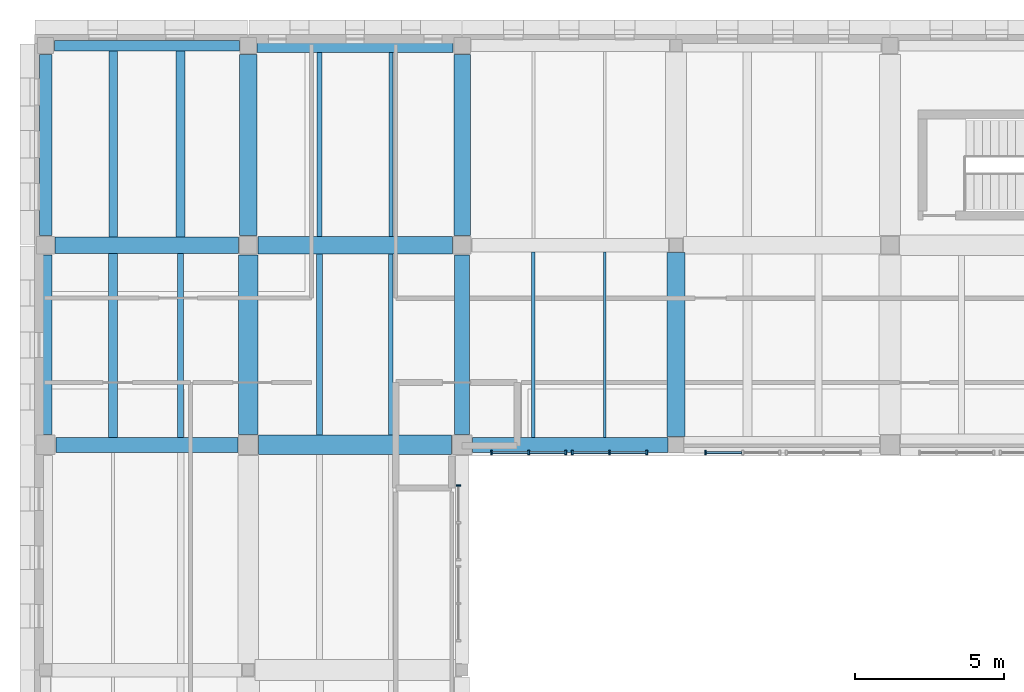
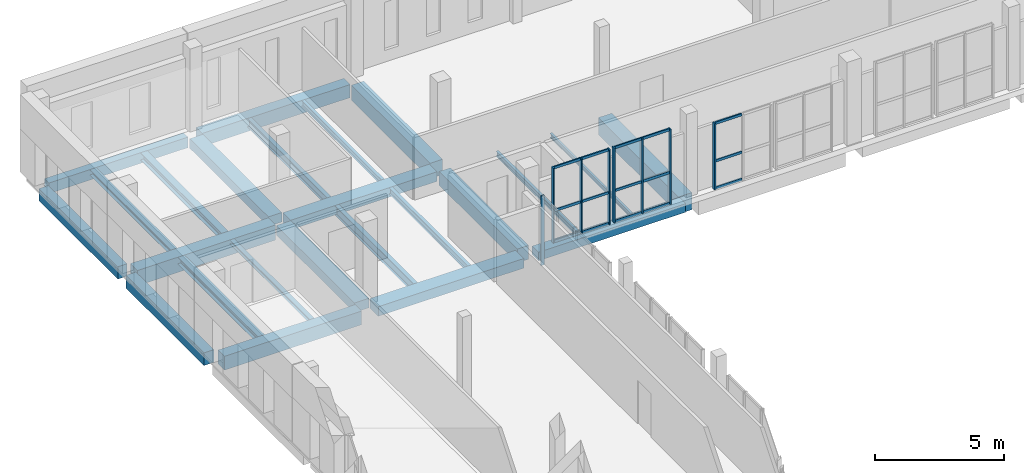
# One storey, part 25 of 76: 24 beams, 23 members, 4 elements without a shape of their own.
"""IFC4 building model written with IfcOpenShell, lengths in metres."""

import ifcopenshell
import ifcopenshell.guid

model = None  # the IFC model being written
_history = None  # IfcOwnerHistory: only IFC2X3 demands one
_inside = {}  # id of a spatial element -> (the spatial element, [elements in it])
_under = {}  # id of a project, library or spatial element -> (it, [spatial elements below it])
_declared = {}  # id of a project -> (the project, [libraries it declares])
_typed = {}  # id of a type object -> (the type object, [elements of that type])
_made_of = {}  # id of a material, layer set ... -> (it, [elements and type objects made of it])


def new_model(schema):
    """Start an empty IFC model of exactly this schema.

    Asked for "IFC4X3", IfcOpenShell would pick the latest addendum, in which some entities
    have other attributes; the version numbers below select the first issue.
    IFC2X3 requires an IfcOwnerHistory on every rooted entity: one is made here for all.
    """
    global model, _history
    if schema == "IFC4X3":
        model = ifcopenshell.file(schema_version=(4, 3, 0, 0))
    else:
        model = ifcopenshell.file(schema=schema)
    _inside.clear()
    _under.clear()
    _declared.clear()
    _typed.clear()
    _made_of.clear()
    _history = None
    if model.schema == "IFC2X3":
        org = make("IfcOrganization", Name="unknown")
        user = make(
            "IfcPersonAndOrganization",
            ThePerson=make("IfcPerson", FamilyName="unknown"),
            TheOrganization=org,
        )
        app = make(
            "IfcApplication",
            ApplicationDeveloper=org,
            Version="unknown",
            ApplicationFullName="unknown",
            ApplicationIdentifier="unknown",
        )
        _history = make(
            "IfcOwnerHistory",
            OwningUser=user,
            OwningApplication=app,
            ChangeAction="ADDED",
            CreationDate=0,
        )
    return model


def make(cls, **values):
    """One entity of the class cls with the attributes given. An attribute that is None is left unset."""
    return model.create_entity(
        cls, **{name: value for name, value in values.items() if value is not None}
    )


def rooted(cls, **values):
    """An entity with a GlobalId (a new one), such as an element, a storey or a relation."""
    return make(cls, GlobalId=ifcopenshell.guid.new(), OwnerHistory=_history, **values)


def si_unit(unit_type, name, prefix=None):
    """IfcSIUnit, for example si_unit("LENGTHUNIT", "METRE", prefix="MILLI")."""
    return make("IfcSIUnit", UnitType=unit_type, Prefix=prefix, Name=name)


def assignment(units):
    """IfcUnitAssignment: the units of a project."""
    return None if units is None else make("IfcUnitAssignment", Units=units)


def point(xyz):
    """IfcCartesianPoint."""
    return None if xyz is None else make("IfcCartesianPoint", Coordinates=xyz)


def direction(xyz):
    """IfcDirection."""
    return None if xyz is None else make("IfcDirection", DirectionRatios=xyz)


def frame(location, z_axis=None, x_axis=None):
    """IfcAxis2Placement3D, a coordinate frame: its origin and axes. An axis left out is left unset."""
    return make(
        "IfcAxis2Placement3D",
        Location=point(location),
        Axis=direction(z_axis),
        RefDirection=direction(x_axis),
    )


def frame_2d(location, x_axis=None):
    """IfcAxis2Placement2D, a coordinate frame in the plane: its origin and x axis."""
    return make(
        "IfcAxis2Placement2D", Location=point(location), RefDirection=direction(x_axis)
    )


def origin():
    """The frame at (0, 0, 0) with its axes left unset."""
    return frame((0.0, 0.0, 0.0))


def origin_2d():
    """The frame at (0, 0) in the plane with its x axis left unset."""
    return frame_2d((0.0, 0.0))


def place(relative_to, where):
    """IfcLocalPlacement: puts the frame where relative to a parent placement (None: the world)."""
    return make(
        "IfcLocalPlacement", PlacementRelTo=relative_to, RelativePlacement=where
    )


def context(
    kind, dimensions, precision=None, world=None, true_north=None, identifier=None
):
    """IfcGeometricRepresentationContext, for example the 3D "Model" context."""
    return make(
        "IfcGeometricRepresentationContext",
        ContextIdentifier=identifier,
        ContextType=kind,
        CoordinateSpaceDimension=dimensions,
        Precision=precision,
        WorldCoordinateSystem=world,
        TrueNorth=true_north,
    )


def subcontext(parent, identifier, kind, view, scale=None):
    """IfcGeometricRepresentationSubContext, for example "Body" below "Model"."""
    return make(
        "IfcGeometricRepresentationSubContext",
        ContextIdentifier=identifier,
        ContextType=kind,
        ParentContext=parent,
        TargetScale=scale,
        TargetView=view,
    )


def project(units=None, contexts=None):
    """IfcProject with its units and contexts."""
    return rooted(
        "IfcProject",
        Name="project",
        RepresentationContexts=contexts,
        UnitsInContext=assignment(units),
    )


def spatial(cls, under=None, at=None, **own):
    """A site, building, storey or space (cls), placed at a placement, below another one or the project."""
    s = rooted(cls, ObjectPlacement=at, **own)
    if under is not None:
        _under.setdefault(under.id(), (under, []))[1].append(s)
    return s


def profile(cls, at=None, kind="AREA", **sizes):
    """A parametric profile (cls). Its sizes go by their IFC names, for example OverallWidth=200.0."""
    return make(cls, ProfileType=kind, Position=at, **sizes)


def rectangle(**sizes):
    """IfcRectangleProfileDef."""
    return profile("IfcRectangleProfileDef", **sizes)


def i_section(**sizes):
    """IfcIShapeProfileDef."""
    return profile("IfcIShapeProfileDef", **sizes)


def extrude(swept, where, along, depth):
    """IfcExtrudedAreaSolid: the profile swept, set in the frame where, extruded along a direction by depth."""
    return make(
        "IfcExtrudedAreaSolid",
        SweptArea=swept,
        Position=where,
        ExtrudedDirection=direction(along),
        Depth=depth,
    )


def shape(context_of_items, identifier, shape_type, items):
    """IfcShapeRepresentation: the items that make up one representation, for example the "Body"."""
    return make(
        "IfcShapeRepresentation",
        ContextOfItems=context_of_items,
        RepresentationIdentifier=identifier,
        RepresentationType=shape_type,
        Items=items,
    )


def material(Name=None, Category=None):
    """IfcMaterial."""
    return make("IfcMaterial", Name=Name, Category=Category)


def layer(
    of_material, thickness, ventilated=None, Name=None, Category=None, Priority=None
):
    """IfcMaterialLayer: one layer of a wall or slab, of a material (None: an air gap)."""
    return make(
        "IfcMaterialLayer",
        Material=of_material,
        LayerThickness=thickness,
        IsVentilated=ventilated,
        Name=Name,
        Category=Category,
        Priority=Priority,
    )


def layer_set(layers, Name=None):
    """IfcMaterialLayerSet."""
    return make("IfcMaterialLayerSet", MaterialLayers=layers, LayerSetName=Name)


def material_profile(
    of_material, cross_section, Name=None, Category=None, Priority=None
):
    """IfcMaterialProfile: a cross section and its material."""
    return make(
        "IfcMaterialProfile",
        Name=Name,
        Material=of_material,
        Profile=cross_section,
        Priority=Priority,
        Category=Category,
    )


def profile_set(profiles, Name=None, composite=None):
    """IfcMaterialProfileSet."""
    return make(
        "IfcMaterialProfileSet",
        Name=Name,
        MaterialProfiles=profiles,
        CompositeProfile=composite,
    )


def made_of(thing, what):
    """Note that an element or type object is made of a material, layer set ...; save() writes the relation."""
    if what is not None:
        _made_of.setdefault(what.id(), (what, []))[1].append(thing)
    return thing


def type_object(cls, material=None, **own):
    """A type object (cls), such as IfcWallType, which elements share."""
    return made_of(rooted(cls, **own), material)


def element(
    cls,
    number,
    at=None,
    inside=None,
    cuts=None,
    type_object=None,
    material=None,
    context=None,
    identifier="Body",
    shape_type=None,
    held_by="IfcProductDefinitionShape",
    body=None,
    shapes=None,
    **own,
):
    """One element of the class cls, such as IfcWall. Its Tag is "e" and its number.

    at: its placement. inside: the storey or other place that contains it. cuts: it is an
    opening in that element (IfcRelVoidsElement). A single representation is given by context,
    identifier, shape_type and body (its items); several are given by shapes. held_by: the class
    of the entity that holds the representations. save() writes the other relations.
    """
    e = rooted(cls, Tag="e%d" % number, ObjectPlacement=at, **own)
    if body is not None:
        shapes = [shape(context, identifier, shape_type, body)]
    if shapes is not None:
        e.Representation = make(held_by, Representations=shapes)
    if inside is not None:
        _inside.setdefault(inside.id(), (inside, []))[1].append(e)
    if cuts is not None:
        rooted(
            "IfcRelVoidsElement", RelatingBuildingElement=cuts, RelatedOpeningElement=e
        )
    if type_object is not None:
        _typed.setdefault(type_object.id(), (type_object, []))[1].append(e)
    return made_of(e, material)


def aggregate(whole, parts):
    """IfcRelAggregates: a whole, such as a stair, and the parts it consists of."""
    return rooted("IfcRelAggregates", RelatingObject=whole, RelatedObjects=parts)


def save(model, path):
    """Write the relations noted so far, then the file.

    IfcRelAggregates (storeys below a building ...), IfcRelContainedInSpatialStructure (elements
    in a storey), IfcRelDefinesByType, IfcRelAssociatesMaterial and IfcRelDeclares: one each for
    every whole, place, type object, material and project.
    """
    for whole, parts in _under.values():
        aggregate(whole, parts)
    for where, things in _inside.values():
        rooted(
            "IfcRelContainedInSpatialStructure",
            RelatedElements=things,
            RelatingStructure=where,
        )
    for kind, things in _typed.values():
        rooted("IfcRelDefinesByType", RelatedObjects=things, RelatingType=kind)
    for what, things in _made_of.values():
        rooted("IfcRelAssociatesMaterial", RelatedObjects=things, RelatingMaterial=what)
    for by, libraries in _declared.values():
        rooted("IfcRelDeclares", RelatingContext=by, RelatedDefinitions=libraries)
    model.write(path)


model = new_model("IFC4")

# Units and contexts
model_context = context("Model", 3, precision=1e-05, world=origin(), true_north=direction((0.0, 1.0)))
body_context = subcontext(model_context, "Body", "Model", "MODEL_VIEW")
ifc_project = project(units=[si_unit("LENGTHUNIT", "METRE"), si_unit("AREAUNIT", "SQUARE_METRE"), si_unit("VOLUMEUNIT", "CUBIC_METRE"), si_unit("PLANEANGLEUNIT", "RADIAN"), si_unit("MASSUNIT", "GRAM", prefix="KILO")], contexts=[model_context])

# Site, building, storey
site_placement = place(None, origin())
site = spatial("IfcSite", under=ifc_project, at=site_placement, CompositionType="ELEMENT")
building_placement = place(site_placement, origin())
building = spatial("IfcBuilding", under=site, at=building_placement, Name="Vardoun Plaza Health Centre", CompositionType="ELEMENT")
storey_placement = place(building_placement, frame((0.0, 0.0, 4.5)))
storey = spatial("IfcBuildingStorey", under=building, at=storey_placement, Name="L01", CompositionType="ELEMENT", Elevation=4.5)

# Beams
ifc_material_1 = material(Name="Concrete C35/45", Category="concrete")
ifc_material_profile_1 = material_profile(ifc_material_1, rectangle(XDim=0.35009765625, YDim=0.5, at=origin_2d()), Name="RC-BM 350x500")
ifc_profile_set_1 = profile_set([ifc_material_profile_1], Name="Concrete C35/45")
beam_type_1 = type_object("IfcBeamType", Name="B-08", PredefinedType="SPANDREL", material=ifc_profile_set_1)
beam_1_placement = place(storey_placement, frame((5.179931640625, 114.919921875, -0.514892578125), z_axis=(1.0, 0.0, 0.0), x_axis=(0.0, 1.0, 0.0)))
element("IfcBeam", 1, at=beam_1_placement, inside=storey, type_object=beam_type_1, Name="V3 L01 Beam B-V3-L01-X06", PredefinedType="SPANDREL", context=body_context, shape_type="SweptSolid", body=[
    extrude(rectangle(XDim=0.35009765625, YDim=0.5, at=origin_2d()), origin(), (0.0, 0.0, 1.0), 6.219970703125),
])
ifc_material_2 = material(Name="Concrete C35/45", Category="concrete")
ifc_material_profile_2 = material_profile(ifc_material_2, rectangle(XDim=0.419921875, YDim=0.580078125, at=origin_2d()), Name="RC-BM 420x580")
ifc_profile_set_2 = profile_set([ifc_material_profile_2], Name="Concrete C35/45")
beam_type_2 = type_object("IfcBeamType", Name="B-10", PredefinedType="SPANDREL", material=ifc_profile_set_2)
beam_2_placement = place(storey_placement, frame((4.8798828125, 108.525146484375, -0.554931640625), z_axis=(0.0, 1.0, 0.0), x_axis=(-1.0, 0.0, 0.0)))
element("IfcBeam", 2, at=beam_2_placement, inside=storey, type_object=beam_type_2, Name="V3 L01 Beam B-V3-L01-Y29", PredefinedType="SPANDREL", context=body_context, shape_type="SweptSolid", body=[
    extrude(rectangle(XDim=0.419921875, YDim=0.580078125, at=origin_2d()), origin(), (0.0, 0.0, 1.0), 6.094970703125),
])
ifc_material_3 = material(Name="Concrete C35/45", Category="concrete")
ifc_material_profile_3 = material_profile(ifc_material_3, rectangle(XDim=0.449951171875, YDim=0.60009765625, at=origin_2d()), Name="RC-BM 450x600")
ifc_profile_set_3 = profile_set([ifc_material_profile_3], Name="Concrete C35/45")
beam_type_3 = type_object("IfcBeamType", Name="B-11", PredefinedType="SPANDREL", material=ifc_profile_set_3)
beam_3_placement = place(storey_placement, frame((4.8798828125, 101.830078125, -0.56494140625), z_axis=(0.0, 1.0, 0.0), x_axis=(-1.0, 0.0, 0.0)))
element("IfcBeam", 3, at=beam_3_placement, inside=storey, type_object=beam_type_3, Name="V3 L01 Beam B-V3-L01-Y28", PredefinedType="SPANDREL", context=body_context, shape_type="SweptSolid", body=[
    extrude(rectangle(XDim=0.449951171875, YDim=0.60009765625, at=origin_2d()), origin(), (0.0, 0.0, 1.0), 6.044921875),
])
ifc_material_4 = material(Name="Concrete C35/45", Category="concrete")
ifc_material_profile_4 = material_profile(ifc_material_4, rectangle(XDim=0.47998046875, YDim=0.6201171875, at=origin_2d()), Name="RC-BM 480x620")
ifc_profile_set_4 = profile_set([ifc_material_profile_4], Name="Concrete C35/45")
beam_type_4 = type_object("IfcBeamType", Name="B-12", PredefinedType="SPANDREL", material=ifc_profile_set_4)
beam_4_placement = place(storey_placement, frame((12.0, 114.919921875, -0.574951171875), z_axis=(1.0, 0.0, 0.0), x_axis=(0.0, 1.0, 0.0)))
element("IfcBeam", 4, at=beam_4_placement, inside=storey, type_object=beam_type_4, Name="V3 L01 Beam B-V3-L01-X12", PredefinedType="SPANDREL", context=body_context, shape_type="SweptSolid", body=[
    extrude(rectangle(XDim=0.47998046875, YDim=0.6201171875, at=origin_2d()), origin(), (0.0, 0.0, 1.0), 6.60009765625),
])
ifc_material_5 = material(Name="Concrete C35/45", Category="concrete")
ifc_material_profile_5 = material_profile(ifc_material_5, rectangle(XDim=0.5, YDim=0.39990234375, at=origin_2d()), Name="RC-BM 500x400")
ifc_profile_set_5 = profile_set([ifc_material_profile_5], Name="Concrete C35/45")
beam_type_5 = type_object("IfcBeamType", Name="B-02", PredefinedType="BEAM", material=ifc_profile_set_5)
beam_5_placement = place(storey_placement, frame((19.25, 101.47998046875, -0.465087890625), z_axis=(1.0, 0.0, 0.0), x_axis=(0.0, 1.0, 0.0)))
element("IfcBeam", 5, at=beam_5_placement, inside=storey, type_object=beam_type_5, Name="V3 L01 Beam B-V3-L01-X13", PredefinedType="BEAM", context=body_context, shape_type="SweptSolid", body=[
    extrude(rectangle(XDim=0.5, YDim=0.39990234375, at=origin_2d()), origin(), (0.0, 0.0, 1.0), 6.574951171875),
])
ifc_material_6 = material(Name="Concrete C40/50", Category="concrete")
ifc_material_profile_6 = material_profile(ifc_material_6, rectangle(XDim=0.5, YDim=0.64990234375, at=origin_2d()), Name="RC-BM 500x650")
ifc_profile_set_6 = profile_set([ifc_material_profile_6], Name="Concrete C40/50")
beam_type_6 = type_object("IfcBeamType", Name="B-13", PredefinedType="BEAM", material=ifc_profile_set_6)
beam_6_placement = place(storey_placement, frame((5.22998046875, 101.47998046875, -0.590087890625), z_axis=(1.0, 0.0, 0.0), x_axis=(0.0, 1.0, 0.0)))
element("IfcBeam", 6, at=beam_6_placement, inside=storey, type_object=beam_type_6, Name="V3 L01 Beam B-V3-L01-X04", PredefinedType="BEAM", context=body_context, shape_type="SweptSolid", body=[
    extrude(rectangle(XDim=0.5, YDim=0.64990234375, at=origin_2d()), origin(), (0.0, 0.0, 1.0), 6.1201171875),
])
beam_7_placement = place(storey_placement, frame((18.89990234375, 101.830078125, -0.590087890625), z_axis=(0.0, 1.0, 0.0), x_axis=(-1.0, 0.0, 0.0)))
element("IfcBeam", 7, at=beam_7_placement, inside=storey, type_object=beam_type_6, Name="V3 L01 Beam B-V3-L01-Y37", PredefinedType="BEAM", context=body_context, shape_type="SweptSolid", body=[
    extrude(rectangle(XDim=0.5, YDim=0.64990234375, at=origin_2d()), origin(), (0.0, 0.0, 1.0), 6.044921875),
])
ifc_material_7 = material(Name="Concrete C40/50", Category="concrete")
ifc_material_profile_7 = material_profile(ifc_material_7, rectangle(XDim=0.550048828125, YDim=0.719970703125, at=origin_2d()), Name="RC-BM 550x720")
ifc_profile_set_7 = profile_set([ifc_material_profile_7], Name="Concrete C40/50")
beam_type_7 = type_object("IfcBeamType", Name="B-14", PredefinedType="BEAM", material=ifc_profile_set_7)
beam_8_placement = place(storey_placement, frame((5.205078125, 108.199951171875, -0.625), z_axis=(1.0, 0.0, 0.0), x_axis=(0.0, 1.0, 0.0)))
element("IfcBeam", 8, at=beam_8_placement, inside=storey, type_object=beam_type_7, Name="V3 L01 Beam B-V3-L01-X05", PredefinedType="BEAM", context=body_context, shape_type="SweptSolid", body=[
    extrude(rectangle(XDim=0.550048828125, YDim=0.719970703125, at=origin_2d()), origin(), (0.0, 0.0, 1.0), 6.169921875),
])
beam_9_placement = place(storey_placement, frame((18.89990234375, 108.525146484375, -0.625), z_axis=(0.0, 1.0, 0.0), x_axis=(-1.0, 0.0, 0.0)))
element("IfcBeam", 9, at=beam_9_placement, inside=storey, type_object=beam_type_7, Name="V3 L01 Beam B-V3-L01-Y38", PredefinedType="BEAM", context=body_context, shape_type="SweptSolid", body=[
    extrude(rectangle(XDim=0.550048828125, YDim=0.719970703125, at=origin_2d()), origin(), (0.0, 0.0, 1.0), 6.094970703125),
])
ifc_material_8 = material(Name="Concrete C35/45", Category="concrete")
ifc_material_profile_8 = material_profile(ifc_material_8, rectangle(XDim=0.60009765625, YDim=0.449951171875, at=origin_2d()), Name="RC-BM 600x450")
ifc_profile_set_8 = profile_set([ifc_material_profile_8], Name="Concrete C35/45")
beam_type_8 = type_object("IfcBeamType", Name="B-04", PredefinedType="BEAM", material=ifc_profile_set_8)
beam_10_placement = place(storey_placement, frame((12.02490234375, 108.199951171875, -0.489990234375), z_axis=(1.0, 0.0, 0.0), x_axis=(0.0, 1.0, 0.0)))
element("IfcBeam", 10, at=beam_10_placement, inside=storey, type_object=beam_type_8, Name="V3 L01 Beam B-V3-L01-X11", PredefinedType="BEAM", context=body_context, shape_type="SweptSolid", body=[
    extrude(rectangle(XDim=0.60009765625, YDim=0.449951171875, at=origin_2d()), origin(), (0.0, 0.0, 1.0), 6.550048828125),
])
beam_11_placement = place(storey_placement, frame((11.699951171875, 108.525146484375, -0.489990234375), z_axis=(0.0, 1.0, 0.0), x_axis=(-1.0, 0.0, 0.0)))
element("IfcBeam", 11, at=beam_11_placement, inside=storey, type_object=beam_type_8, Name="V3 L01 Beam B-V3-L01-Y33", PredefinedType="BEAM", context=body_context, shape_type="SweptSolid", body=[
    extrude(rectangle(XDim=0.60009765625, YDim=0.449951171875, at=origin_2d()), origin(), (0.0, 0.0, 1.0), 6.094970703125),
])
ifc_material_9 = material(Name="Concrete C40/50", Category="concrete")
ifc_material_profile_9 = material_profile(ifc_material_9, rectangle(XDim=0.60009765625, YDim=0.800048828125, at=origin_2d()), Name="RC-BM 600x800")
ifc_profile_set_9 = profile_set([ifc_material_profile_9], Name="Concrete C40/50")
beam_type_9 = type_object("IfcBeamType", Name="B-15", PredefinedType="JOIST", material=ifc_profile_set_9)
beam_12_placement = place(storey_placement, frame((26.10009765625, 101.7548828125, -0.6650390625), z_axis=(0.0, 1.0, 0.0), x_axis=(-1.0, 0.0, 0.0)))
element("IfcBeam", 12, at=beam_12_placement, inside=storey, type_object=beam_type_9, Name="V3 L01 Beam B-V3-L01-Y39", PredefinedType="JOIST", context=body_context, shape_type="SweptSolid", body=[
    extrude(rectangle(XDim=0.60009765625, YDim=0.800048828125, at=origin_2d()), origin(), (0.0, 0.0, 1.0), 6.195068359375),
])
ifc_material_10 = material(Name="Concrete C35/45", Category="concrete")
ifc_material_profile_10 = material_profile(ifc_material_10, rectangle(XDim=0.64990234375, YDim=0.449951171875, at=origin_2d()), Name="RC-BM 650x450")
ifc_profile_set_10 = profile_set([ifc_material_profile_10], Name="Concrete C35/45")
beam_type_10 = type_object("IfcBeamType", Name="B-05", PredefinedType="BEAM", material=ifc_profile_set_10)
beam_13_placement = place(storey_placement, frame((12.050048828125, 101.47998046875, -0.489990234375), z_axis=(1.0, 0.0, 0.0), x_axis=(0.0, 1.0, 0.0)))
element("IfcBeam", 13, at=beam_13_placement, inside=storey, type_object=beam_type_10, Name="V3 L01 Beam B-V3-L01-X10", PredefinedType="BEAM", context=body_context, shape_type="SweptSolid", body=[
    extrude(rectangle(XDim=0.64990234375, YDim=0.449951171875, at=origin_2d()), origin(), (0.0, 0.0, 1.0), 6.5),
])
beam_14_placement = place(storey_placement, frame((11.699951171875, 101.830078125, -0.489990234375), z_axis=(0.0, 1.0, 0.0), x_axis=(-1.0, 0.0, 0.0)))
element("IfcBeam", 14, at=beam_14_placement, inside=storey, type_object=beam_type_10, Name="V3 L01 Beam B-V3-L01-Y32", PredefinedType="BEAM", context=body_context, shape_type="SweptSolid", body=[
    extrude(rectangle(XDim=0.64990234375, YDim=0.449951171875, at=origin_2d()), origin(), (0.0, 0.0, 1.0), 6.044921875),
])
ifc_material_11 = material(Name="Steel S355J2", Category="steel")
ifc_material_profile_11 = material_profile(ifc_material_11, i_section(OverallWidth=0.199951171875, OverallDepth=0.18994140625, WebThickness=0.006591796875, FlangeThickness=0.010009765625, FilletRadius=0.01806640625, at=origin_2d()), Name="HEA 200")
ifc_profile_set_11 = profile_set([ifc_material_profile_11], Name="Steel S355J2")
beam_type_11 = type_object("IfcBeamType", Name="SB-09", PredefinedType="BEAM", material=ifc_profile_set_11)
beam_15_placement = place(storey_placement, frame((9.427001953125, 101.72998046875, -0.360107421875), z_axis=(0.0, 1.0, 0.0), x_axis=(-1.0, 0.0, 0.0)))
element("IfcBeam", 15, at=beam_15_placement, inside=storey, type_object=beam_type_11, Name="V3 L01 Secondary Floor Beam SJ-V3-L01-07", PredefinedType="BEAM", context=body_context, shape_type="SweptSolid", body=[
    extrude(i_section(OverallWidth=0.199951171875, OverallDepth=0.18994140625, WebThickness=0.006591796875, FlangeThickness=0.010009765625, FilletRadius=0.01806640625, at=origin_2d()), origin(), (0.0, 0.0, 1.0), 6.195068359375),
])
ifc_material_12 = material(Name="Steel S355J2", Category="steel")
ifc_material_profile_12 = material_profile(ifc_material_12, i_section(OverallWidth=0.280029296875, OverallDepth=0.27001953125, WebThickness=0.008056640625, FlangeThickness=0.012939453125, FilletRadius=0.02392578125, at=origin_2d()), Name="HEA 280")
ifc_profile_set_12 = profile_set([ifc_material_profile_12], Name="Steel S355J2")
beam_type_12 = type_object("IfcBeamType", Name="SB-06", PredefinedType="BEAM", material=ifc_profile_set_12)
beam_16_placement = place(storey_placement, frame((7.153076171875, 108.47509765625, -0.39990234375), z_axis=(0.0, 1.0, 0.0), x_axis=(-1.0, 0.0, 0.0)))
element("IfcBeam", 16, at=beam_16_placement, inside=storey, type_object=beam_type_12, Name="V3 L01 Secondary Floor Beam SJ-V3-L01-04", PredefinedType="BEAM", context=body_context, shape_type="SweptSolid", body=[
    extrude(i_section(OverallWidth=0.280029296875, OverallDepth=0.27001953125, WebThickness=0.008056640625, FlangeThickness=0.012939453125, FilletRadius=0.02392578125, at=origin_2d()), origin(), (0.0, 0.0, 1.0), 6.27001953125),
])
ifc_material_13 = material(Name="Steel S355J2", Category="steel")
ifc_material_profile_13 = material_profile(ifc_material_13, i_section(OverallWidth=0.300048828125, OverallDepth=0.330078125, WebThickness=0.009521484375, FlangeThickness=0.0166015625, FilletRadius=0.027099609375, at=origin_2d()), Name="HEA 340")
ifc_profile_set_13 = profile_set([ifc_material_profile_13], Name="Steel S355J2")
beam_type_13 = type_object("IfcBeamType", Name="SB-04", PredefinedType="BEAM", material=ifc_profile_set_13)
beam_17_placement = place(storey_placement, frame((7.153076171875, 101.72998046875, -0.429931640625), z_axis=(0.0, 1.0, 0.0), x_axis=(-1.0, 0.0, 0.0)))
element("IfcBeam", 17, at=beam_17_placement, inside=storey, type_object=beam_type_13, Name="V3 L01 Secondary Floor Beam SJ-V3-L01-03", PredefinedType="BEAM", context=body_context, shape_type="SweptSolid", body=[
    extrude(i_section(OverallWidth=0.300048828125, OverallDepth=0.330078125, WebThickness=0.009521484375, FlangeThickness=0.0166015625, FilletRadius=0.027099609375, at=origin_2d()), origin(), (0.0, 0.0, 1.0), 6.195068359375),
])
ifc_material_14 = material(Name="Steel S355J2", Category="steel")
ifc_material_profile_14 = material_profile(ifc_material_14, i_section(OverallWidth=0.300048828125, OverallDepth=0.360107421875, WebThickness=0.012451171875, FlangeThickness=0.0224609375, FilletRadius=0.027099609375, at=origin_2d()), Name="HEB 360")
ifc_profile_set_14 = profile_set([ifc_material_profile_14], Name="Steel S355J2")
beam_type_14 = type_object("IfcBeamType", Name="RB-04", PredefinedType="BEAM", material=ifc_profile_set_14)
beam_18_placement = place(storey_placement, frame((9.427001953125, 108.47509765625, -0.445068359375), z_axis=(0.0, 1.0, 0.0), x_axis=(-1.0, 0.0, 0.0)))
element("IfcBeam", 18, at=beam_18_placement, inside=storey, type_object=beam_type_14, Name="V3 L01 Secondary Floor Beam SJ-V3-L01-08", PredefinedType="BEAM", context=body_context, shape_type="SweptSolid", body=[
    extrude(i_section(OverallWidth=0.300048828125, OverallDepth=0.360107421875, WebThickness=0.012451171875, FlangeThickness=0.0224609375, FilletRadius=0.027099609375, at=origin_2d()), origin(), (0.0, 0.0, 1.0), 6.27001953125),
])
ifc_material_15 = material(Name="Steel S355J2", Category="steel")
ifc_material_profile_15 = material_profile(ifc_material_15, i_section(OverallWidth=0.10009765625, OverallDepth=0.199951171875, WebThickness=0.005615234375, FlangeThickness=0.008544921875, FilletRadius=0.011962890625, at=origin_2d()), Name="IPE 200")
ifc_profile_set_15 = profile_set([ifc_material_profile_15], Name="Steel S355J2")
beam_type_15 = type_object("IfcBeamType", Name="SB-19", PredefinedType="SPANDREL", material=ifc_profile_set_15)
beam_19_placement = place(storey_placement, frame((23.7001953125, 101.72998046875, -0.364990234375), z_axis=(0.0, 1.0, 0.0), x_axis=(-1.0, 0.0, 0.0)))
element("IfcBeam", 19, at=beam_19_placement, inside=storey, type_object=beam_type_15, Name="V3 L01 Secondary Floor Beam SJ-V3-L01-19", PredefinedType="SPANDREL", context=body_context, shape_type="SweptSolid", body=[
    extrude(i_section(OverallWidth=0.10009765625, OverallDepth=0.199951171875, WebThickness=0.005615234375, FlangeThickness=0.008544921875, FilletRadius=0.011962890625, at=origin_2d()), origin(), (0.0, 0.0, 1.0), 6.2451171875),
])
ifc_material_16 = material(Name="Steel S355J2", Category="steel")
ifc_material_profile_16 = material_profile(ifc_material_16, i_section(OverallWidth=0.1201171875, OverallDepth=0.239990234375, WebThickness=0.006103515625, FlangeThickness=0.009765625, FilletRadius=0.014892578125, at=origin_2d()), Name="IPE 240")
ifc_profile_set_16 = profile_set([ifc_material_profile_16], Name="Steel S355J2")
beam_type_16 = type_object("IfcBeamType", Name="SB-17", PredefinedType="JOIST", material=ifc_profile_set_16)
beam_20_placement = place(storey_placement, frame((21.2998046875, 101.72998046875, -0.385009765625), z_axis=(0.0, 1.0, 0.0), x_axis=(-1.0, 0.0, 0.0)))
element("IfcBeam", 20, at=beam_20_placement, inside=storey, type_object=beam_type_16, Name="V3 L01 Secondary Floor Beam SJ-V3-L01-17", PredefinedType="JOIST", context=body_context, shape_type="SweptSolid", body=[
    extrude(i_section(OverallWidth=0.1201171875, OverallDepth=0.239990234375, WebThickness=0.006103515625, FlangeThickness=0.009765625, FilletRadius=0.014892578125, at=origin_2d()), origin(), (0.0, 0.0, 1.0), 6.2451171875),
])
ifc_material_17 = material(Name="Steel S355J2", Category="steel")
ifc_material_profile_17 = material_profile(ifc_material_17, i_section(OverallWidth=0.135009765625, OverallDepth=0.27001953125, WebThickness=0.006591796875, FlangeThickness=0.01025390625, FilletRadius=0.014892578125, at=origin_2d()), Name="IPE 270")
ifc_profile_set_17 = profile_set([ifc_material_profile_17], Name="Steel S355J2")
beam_type_17 = type_object("IfcBeamType", Name="SB-16", PredefinedType="JOIST", material=ifc_profile_set_17)
beam_21_placement = place(storey_placement, frame((16.500244140625, 108.5, -0.39990234375), z_axis=(0.0, 1.0, 0.0), x_axis=(-1.0, 0.0, 0.0)))
element("IfcBeam", 21, at=beam_21_placement, inside=storey, type_object=beam_type_17, Name="V3 L01 Secondary Floor Beam SJ-V3-L01-16", PredefinedType="JOIST", context=body_context, shape_type="SweptSolid", body=[
    extrude(i_section(OverallWidth=0.135009765625, OverallDepth=0.27001953125, WebThickness=0.006591796875, FlangeThickness=0.01025390625, FilletRadius=0.014892578125, at=origin_2d()), origin(), (0.0, 0.0, 1.0), 6.179931640625),
])
ifc_material_18 = material(Name="Steel S355J2", Category="steel")
ifc_material_profile_18 = material_profile(ifc_material_18, i_section(OverallWidth=0.14990234375, OverallDepth=0.300048828125, WebThickness=0.007080078125, FlangeThickness=0.0107421875, FilletRadius=0.014892578125, at=origin_2d()), Name="IPE 300")
ifc_profile_set_18 = profile_set([ifc_material_profile_18], Name="Steel S355J2")
beam_type_18 = type_object("IfcBeamType", Name="SB-15", PredefinedType="JOIST", material=ifc_profile_set_18)
beam_22_placement = place(storey_placement, frame((16.500244140625, 101.804931640625, -0.4150390625), z_axis=(0.0, 1.0, 0.0), x_axis=(-1.0, 0.0, 0.0)))
element("IfcBeam", 22, at=beam_22_placement, inside=storey, type_object=beam_type_18, Name="V3 L01 Secondary Floor Beam SJ-V3-L01-15", PredefinedType="JOIST", context=body_context, shape_type="SweptSolid", body=[
    extrude(i_section(OverallWidth=0.14990234375, OverallDepth=0.300048828125, WebThickness=0.007080078125, FlangeThickness=0.0107421875, FilletRadius=0.014892578125, at=origin_2d()), origin(), (0.0, 0.0, 1.0), 6.09521484375),
])
ifc_material_19 = material(Name="Steel S355J2", Category="steel")
ifc_material_profile_19 = material_profile(ifc_material_19, i_section(OverallWidth=0.179931640625, OverallDepth=0.39990234375, WebThickness=0.008544921875, FlangeThickness=0.013427734375, FilletRadius=0.02099609375, at=origin_2d()), Name="IPE 400")
ifc_profile_set_19 = profile_set([ifc_material_profile_19], Name="Steel S355J2")
beam_type_19 = type_object("IfcBeamType", Name="SB-12", PredefinedType="BEAM", material=ifc_profile_set_19)
beam_23_placement = place(storey_placement, frame((14.099853515625, 108.5, -0.465087890625), z_axis=(0.0, 1.0, 0.0), x_axis=(-1.0, 0.0, 0.0)))
element("IfcBeam", 23, at=beam_23_placement, inside=storey, type_object=beam_type_19, Name="V3 L01 Secondary Floor Beam SJ-V3-L01-12", PredefinedType="BEAM", context=body_context, shape_type="SweptSolid", body=[
    extrude(i_section(OverallWidth=0.179931640625, OverallDepth=0.39990234375, WebThickness=0.008544921875, FlangeThickness=0.013427734375, FilletRadius=0.02099609375, at=origin_2d()), origin(), (0.0, 0.0, 1.0), 6.179931640625),
])
ifc_material_20 = material(Name="Steel S355J2", Category="steel")
ifc_material_profile_20 = material_profile(ifc_material_20, i_section(OverallWidth=0.18994140625, OverallDepth=0.449951171875, WebThickness=0.009521484375, FlangeThickness=0.0146484375, FilletRadius=0.02099609375, at=origin_2d()), Name="IPE 450")
ifc_profile_set_20 = profile_set([ifc_material_profile_20], Name="Steel S355J2")
beam_type_20 = type_object("IfcBeamType", Name="SB-11", PredefinedType="BEAM", material=ifc_profile_set_20)
beam_24_placement = place(storey_placement, frame((14.099853515625, 101.804931640625, -0.489990234375), z_axis=(0.0, 1.0, 0.0), x_axis=(-1.0, 0.0, 0.0)))
element("IfcBeam", 24, at=beam_24_placement, inside=storey, type_object=beam_type_20, Name="V3 L01 Secondary Floor Beam SJ-V3-L01-11", PredefinedType="BEAM", context=body_context, shape_type="SweptSolid", body=[
    extrude(i_section(OverallWidth=0.18994140625, OverallDepth=0.449951171875, WebThickness=0.009521484375, FlangeThickness=0.0146484375, FilletRadius=0.02099609375, at=origin_2d()), origin(), (0.0, 0.0, 1.0), 6.09521484375),
])

# Curtain wall, member
ifc_material_21 = material(Name="Aluminium Alloy EN AW-6063-T6 and Low-E Glass", Category="aluminium")
ifc_layer = layer(ifc_material_21, 0.159912109375)
ifc_layer_set = layer_set([ifc_layer], Name="Aluminium Alloy EN AW-6063-T6 and Low-E Glass")
curtain_wall_type = type_object("IfcCurtainWallType", Name="CW-02", PredefinedType="USERDEFINED", material=ifc_layer_set)
curtain_wall_1_placement = place(storey_placement, origin())
curtain_wall_1 = element("IfcCurtainWall", 25, at=curtain_wall_1_placement, inside=storey, type_object=curtain_wall_type, Name="Curtain Wall CW-V3-064", ObjectType="COURTYARD_CURTAIN_WALL", PredefinedType="USERDEFINED")
ifc_material_22 = material(Name="Aluminium Alloy EN AW-6063-T6", Category="aluminium")
ifc_material_profile_21 = material_profile(ifc_material_22, rectangle(XDim=0.159912109375, YDim=0.06005859375, at=origin_2d()), Name="CWM 60x160")
ifc_profile_set_21 = profile_set([ifc_material_profile_21], Name="Aluminium Alloy EN AW-6063-T6")
member_type_1 = type_object("IfcMemberType", Name="CW-M1", PredefinedType="MULLION", material=ifc_profile_set_21)
member_1_placement = place(storey_placement, frame((27.090087890625, 101.219970703125, 0.0), z_axis=(0.0, 0.0, 1.0), x_axis=(0.0, -1.0, 0.0)))
member_1 = element("IfcMember", 26, at=member_1_placement, type_object=member_type_1, Name="CW-V3-064 mullion 3", PredefinedType="MULLION", context=body_context, shape_type="SweptSolid", body=[
    extrude(rectangle(XDim=0.159912109375, YDim=0.06005859375, at=origin_2d()), origin(), (0.0, 0.0, 1.0), 3.1201171875),
])

# Curtain wall, members
curtain_wall_2_placement = place(storey_placement, origin())
curtain_wall_2 = element("IfcCurtainWall", 27, at=curtain_wall_2_placement, inside=storey, type_object=curtain_wall_type, Name="Curtain Wall CW-V3-065", ObjectType="COURTYARD_CURTAIN_WALL", PredefinedType="USERDEFINED")
member_2_placement = place(storey_placement, frame((25.110107421875, 101.219970703125, 0.0), z_axis=(0.0, 0.0, 1.0), x_axis=(0.0, -1.0, 0.0)))
member_2 = element("IfcMember", 28, at=member_2_placement, type_object=member_type_1, Name="CW-V3-065 mullion 1", PredefinedType="MULLION", context=body_context, shape_type="SweptSolid", body=[
    extrude(rectangle(XDim=0.159912109375, YDim=0.06005859375, at=origin_2d()), origin(), (0.0, 0.0, 1.0), 3.5400390625),
])
member_3_placement = place(storey_placement, frame((23.860107421875, 101.219970703125, 0.0), z_axis=(0.0, 0.0, 1.0), x_axis=(0.0, -1.0, 0.0)))
member_3 = element("IfcMember", 29, at=member_3_placement, type_object=member_type_1, Name="CW-V3-065 mullion 2", PredefinedType="MULLION", context=body_context, shape_type="SweptSolid", body=[
    extrude(rectangle(XDim=0.159912109375, YDim=0.06005859375, at=origin_2d()), origin(), (0.0, 0.0, 1.0), 3.5400390625),
])
member_4_placement = place(storey_placement, frame((22.610107421875, 101.219970703125, 0.0), z_axis=(0.0, 0.0, 1.0), x_axis=(0.0, -1.0, 0.0)))
member_4 = element("IfcMember", 30, at=member_4_placement, type_object=member_type_1, Name="CW-V3-065 mullion 3", PredefinedType="MULLION", context=body_context, shape_type="SweptSolid", body=[
    extrude(rectangle(XDim=0.159912109375, YDim=0.06005859375, at=origin_2d()), origin(), (0.0, 0.0, 1.0), 3.5400390625),
])

curtain_wall_3_placement = place(storey_placement, origin())
curtain_wall_3 = element("IfcCurtainWall", 31, at=curtain_wall_3_placement, inside=storey, type_object=curtain_wall_type, Name="Curtain Wall CW-V3-066", ObjectType="COURTYARD_CURTAIN_WALL", PredefinedType="USERDEFINED")
member_5_placement = place(storey_placement, frame((22.389892578125, 101.219970703125, 0.0), z_axis=(0.0, 0.0, 1.0), x_axis=(0.0, -1.0, 0.0)))
member_5 = element("IfcMember", 32, at=member_5_placement, type_object=member_type_1, Name="CW-V3-066 mullion 1", PredefinedType="MULLION", context=body_context, shape_type="SweptSolid", body=[
    extrude(rectangle(XDim=0.159912109375, YDim=0.06005859375, at=origin_2d()), origin(), (0.0, 0.0, 1.0), 3.5400390625),
])
member_6_placement = place(storey_placement, frame((21.139892578125, 101.219970703125, 0.0), z_axis=(0.0, 0.0, 1.0), x_axis=(0.0, -1.0, 0.0)))
member_6 = element("IfcMember", 33, at=member_6_placement, type_object=member_type_1, Name="CW-V3-066 mullion 2", PredefinedType="MULLION", context=body_context, shape_type="SweptSolid", body=[
    extrude(rectangle(XDim=0.159912109375, YDim=0.06005859375, at=origin_2d()), origin(), (0.0, 0.0, 1.0), 3.5400390625),
])
member_7_placement = place(storey_placement, frame((19.889892578125, 101.219970703125, 0.0), z_axis=(0.0, 0.0, 1.0), x_axis=(0.0, -1.0, 0.0)))
member_7 = element("IfcMember", 34, at=member_7_placement, type_object=member_type_1, Name="CW-V3-066 mullion 3", PredefinedType="MULLION", context=body_context, shape_type="SweptSolid", body=[
    extrude(rectangle(XDim=0.159912109375, YDim=0.06005859375, at=origin_2d()), origin(), (0.0, 0.0, 1.0), 3.5400390625),
])

# Curtain wall, member
curtain_wall_4_placement = place(storey_placement, origin())
curtain_wall_4 = element("IfcCurtainWall", 35, at=curtain_wall_4_placement, inside=storey, type_object=curtain_wall_type, Name="Curtain Wall CW-V3-067", ObjectType="COURTYARD_CURTAIN_WALL", PredefinedType="USERDEFINED")
member_8_placement = place(storey_placement, frame((18.780029296875, 100.110107421875, 0.0), z_axis=(0.0, 0.0, 1.0), x_axis=(1.0, 0.0, 0.0)))
member_8 = element("IfcMember", 36, at=member_8_placement, type_object=member_type_1, Name="CW-V3-067 mullion 1", PredefinedType="MULLION", context=body_context, shape_type="SweptSolid", body=[
    extrude(rectangle(XDim=0.159912109375, YDim=0.06005859375, at=origin_2d()), origin(), (0.0, 0.0, 1.0), 3.27001953125),
])
aggregate(curtain_wall_4, [member_8])

# Member
ifc_material_23 = material(Name="Aluminium Alloy EN AW-6063-T6", Category="aluminium")
ifc_material_profile_22 = material_profile(ifc_material_23, rectangle(XDim=0.06005859375, YDim=0.1201171875, at=origin_2d()), Name="CWT 60x120")
ifc_profile_set_22 = profile_set([ifc_material_profile_22], Name="Aluminium Alloy EN AW-6063-T6")
member_type_2 = type_object("IfcMemberType", Name="CW-T1", PredefinedType="USERDEFINED", material=ifc_profile_set_22)
member_9_placement = place(storey_placement, frame((28.31005859375, 101.219970703125, 0.030029296875), z_axis=(-1.0, 0.0, 0.0), x_axis=(0.0, -1.0, 0.0)))
member_9 = element("IfcMember", 37, at=member_9_placement, type_object=member_type_2, Name="CW-V3-064 transom 2.1", ObjectType="TRANSOM", PredefinedType="USERDEFINED", context=body_context, shape_type="SweptSolid", body=[
    extrude(rectangle(XDim=0.06005859375, YDim=0.1201171875, at=origin_2d()), origin(), (0.0, 0.0, 1.0), 1.18994140625),
])

member_10_placement = place(storey_placement, frame((28.31005859375, 101.219970703125, 1.310302734375), z_axis=(-1.0, 0.0, 0.0), x_axis=(0.0, -1.0, 0.0)))
member_10 = element("IfcMember", 38, at=member_10_placement, type_object=member_type_2, Name="CW-V3-064 transom 2.2", ObjectType="TRANSOM", PredefinedType="USERDEFINED", context=body_context, shape_type="SweptSolid", body=[
    extrude(rectangle(XDim=0.06005859375, YDim=0.1201171875, at=origin_2d()), origin(), (0.0, 0.0, 1.0), 1.18994140625),
])

member_11_placement = place(storey_placement, frame((28.31005859375, 101.219970703125, 3.090087890625), z_axis=(-1.0, 0.0, 0.0), x_axis=(0.0, -1.0, 0.0)))
member_11 = element("IfcMember", 39, at=member_11_placement, type_object=member_type_2, Name="CW-V3-064 transom 2.3", ObjectType="TRANSOM", PredefinedType="USERDEFINED", context=body_context, shape_type="SweptSolid", body=[
    extrude(rectangle(XDim=0.06005859375, YDim=0.1201171875, at=origin_2d()), origin(), (0.0, 0.0, 1.0), 1.18994140625),
])

aggregate(curtain_wall_1, [member_1, member_9, member_10, member_11])

member_12_placement = place(storey_placement, frame((25.080078125, 101.219970703125, 0.030029296875), z_axis=(-1.0, 0.0, 0.0), x_axis=(0.0, -1.0, 0.0)))
member_12 = element("IfcMember", 40, at=member_12_placement, type_object=member_type_2, Name="CW-V3-065 transom 1.1", ObjectType="TRANSOM", PredefinedType="USERDEFINED", context=body_context, shape_type="SweptSolid", body=[
    extrude(rectangle(XDim=0.06005859375, YDim=0.1201171875, at=origin_2d()), origin(), (0.0, 0.0, 1.0), 1.190185546875),
])

member_13_placement = place(storey_placement, frame((25.080078125, 101.219970703125, 1.48681640625), z_axis=(-1.0, 0.0, 0.0), x_axis=(0.0, -1.0, 0.0)))
member_13 = element("IfcMember", 41, at=member_13_placement, type_object=member_type_2, Name="CW-V3-065 transom 1.2", ObjectType="TRANSOM", PredefinedType="USERDEFINED", context=body_context, shape_type="SweptSolid", body=[
    extrude(rectangle(XDim=0.06005859375, YDim=0.1201171875, at=origin_2d()), origin(), (0.0, 0.0, 1.0), 1.190185546875),
])

member_14_placement = place(storey_placement, frame((25.080078125, 101.219970703125, 3.510009765625), z_axis=(-1.0, 0.0, 0.0), x_axis=(0.0, -1.0, 0.0)))
member_14 = element("IfcMember", 42, at=member_14_placement, type_object=member_type_2, Name="CW-V3-065 transom 1.3", ObjectType="TRANSOM", PredefinedType="USERDEFINED", context=body_context, shape_type="SweptSolid", body=[
    extrude(rectangle(XDim=0.06005859375, YDim=0.1201171875, at=origin_2d()), origin(), (0.0, 0.0, 1.0), 1.190185546875),
])

member_15_placement = place(storey_placement, frame((23.830078125, 101.219970703125, 0.030029296875), z_axis=(-1.0, 0.0, 0.0), x_axis=(0.0, -1.0, 0.0)))
member_15 = element("IfcMember", 43, at=member_15_placement, type_object=member_type_2, Name="CW-V3-065 transom 2.1", ObjectType="TRANSOM", PredefinedType="USERDEFINED", context=body_context, shape_type="SweptSolid", body=[
    extrude(rectangle(XDim=0.06005859375, YDim=0.1201171875, at=origin_2d()), origin(), (0.0, 0.0, 1.0), 1.190185546875),
])

member_16_placement = place(storey_placement, frame((23.830078125, 101.219970703125, 1.48681640625), z_axis=(-1.0, 0.0, 0.0), x_axis=(0.0, -1.0, 0.0)))
member_16 = element("IfcMember", 44, at=member_16_placement, type_object=member_type_2, Name="CW-V3-065 transom 2.2", ObjectType="TRANSOM", PredefinedType="USERDEFINED", context=body_context, shape_type="SweptSolid", body=[
    extrude(rectangle(XDim=0.06005859375, YDim=0.1201171875, at=origin_2d()), origin(), (0.0, 0.0, 1.0), 1.190185546875),
])

member_17_placement = place(storey_placement, frame((23.830078125, 101.219970703125, 3.510009765625), z_axis=(-1.0, 0.0, 0.0), x_axis=(0.0, -1.0, 0.0)))
member_17 = element("IfcMember", 45, at=member_17_placement, type_object=member_type_2, Name="CW-V3-065 transom 2.3", ObjectType="TRANSOM", PredefinedType="USERDEFINED", context=body_context, shape_type="SweptSolid", body=[
    extrude(rectangle(XDim=0.06005859375, YDim=0.1201171875, at=origin_2d()), origin(), (0.0, 0.0, 1.0), 1.190185546875),
])

aggregate(curtain_wall_2, [member_2, member_3, member_4, member_12, member_13, member_14, member_15, member_16, member_17])

member_18_placement = place(storey_placement, frame((22.360107421875, 101.219970703125, 0.030029296875), z_axis=(-1.0, 0.0, 0.0), x_axis=(0.0, -1.0, 0.0)))
member_18 = element("IfcMember", 46, at=member_18_placement, type_object=member_type_2, Name="CW-V3-066 transom 1.1", ObjectType="TRANSOM", PredefinedType="USERDEFINED", context=body_context, shape_type="SweptSolid", body=[
    extrude(rectangle(XDim=0.06005859375, YDim=0.1201171875, at=origin_2d()), origin(), (0.0, 0.0, 1.0), 1.190185546875),
])

member_19_placement = place(storey_placement, frame((22.360107421875, 101.219970703125, 1.48681640625), z_axis=(-1.0, 0.0, 0.0), x_axis=(0.0, -1.0, 0.0)))
member_19 = element("IfcMember", 47, at=member_19_placement, type_object=member_type_2, Name="CW-V3-066 transom 1.2", ObjectType="TRANSOM", PredefinedType="USERDEFINED", context=body_context, shape_type="SweptSolid", body=[
    extrude(rectangle(XDim=0.06005859375, YDim=0.1201171875, at=origin_2d()), origin(), (0.0, 0.0, 1.0), 1.190185546875),
])

member_20_placement = place(storey_placement, frame((22.360107421875, 101.219970703125, 3.510009765625), z_axis=(-1.0, 0.0, 0.0), x_axis=(0.0, -1.0, 0.0)))
member_20 = element("IfcMember", 48, at=member_20_placement, type_object=member_type_2, Name="CW-V3-066 transom 1.3", ObjectType="TRANSOM", PredefinedType="USERDEFINED", context=body_context, shape_type="SweptSolid", body=[
    extrude(rectangle(XDim=0.06005859375, YDim=0.1201171875, at=origin_2d()), origin(), (0.0, 0.0, 1.0), 1.190185546875),
])

member_21_placement = place(storey_placement, frame((21.110107421875, 101.219970703125, 0.030029296875), z_axis=(-1.0, 0.0, 0.0), x_axis=(0.0, -1.0, 0.0)))
member_21 = element("IfcMember", 49, at=member_21_placement, type_object=member_type_2, Name="CW-V3-066 transom 2.1", ObjectType="TRANSOM", PredefinedType="USERDEFINED", context=body_context, shape_type="SweptSolid", body=[
    extrude(rectangle(XDim=0.06005859375, YDim=0.1201171875, at=origin_2d()), origin(), (0.0, 0.0, 1.0), 1.190185546875),
])

member_22_placement = place(storey_placement, frame((21.110107421875, 101.219970703125, 1.48681640625), z_axis=(-1.0, 0.0, 0.0), x_axis=(0.0, -1.0, 0.0)))
member_22 = element("IfcMember", 50, at=member_22_placement, type_object=member_type_2, Name="CW-V3-066 transom 2.2", ObjectType="TRANSOM", PredefinedType="USERDEFINED", context=body_context, shape_type="SweptSolid", body=[
    extrude(rectangle(XDim=0.06005859375, YDim=0.1201171875, at=origin_2d()), origin(), (0.0, 0.0, 1.0), 1.190185546875),
])

member_23_placement = place(storey_placement, frame((21.110107421875, 101.219970703125, 3.510009765625), z_axis=(-1.0, 0.0, 0.0), x_axis=(0.0, -1.0, 0.0)))
member_23 = element("IfcMember", 51, at=member_23_placement, type_object=member_type_2, Name="CW-V3-066 transom 2.3", ObjectType="TRANSOM", PredefinedType="USERDEFINED", context=body_context, shape_type="SweptSolid", body=[
    extrude(rectangle(XDim=0.06005859375, YDim=0.1201171875, at=origin_2d()), origin(), (0.0, 0.0, 1.0), 1.190185546875),
])

aggregate(curtain_wall_3, [member_5, member_6, member_7, member_18, member_19, member_20, member_21, member_22, member_23])

save(model, "model.ifc")
